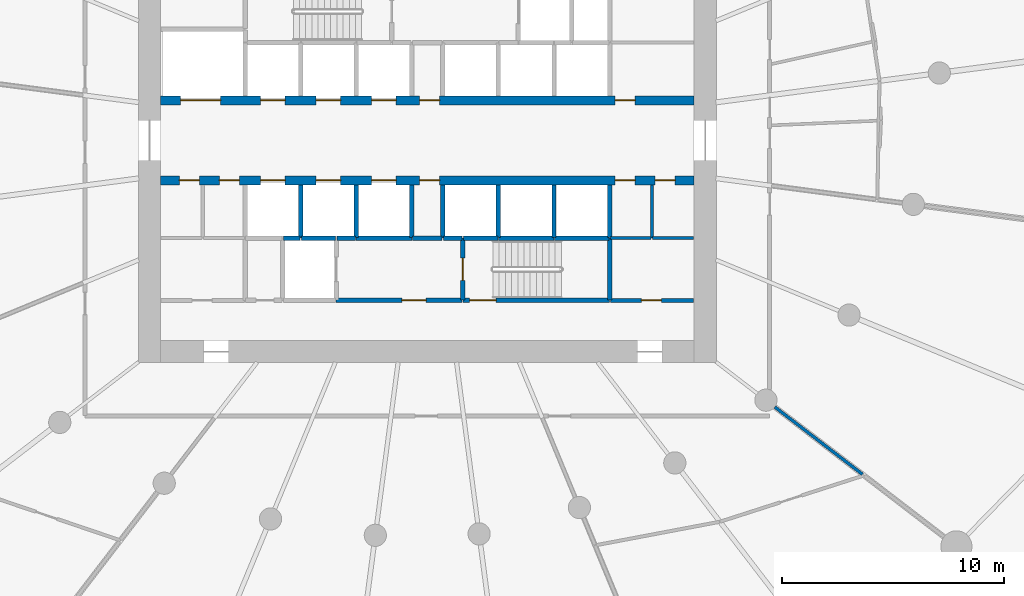
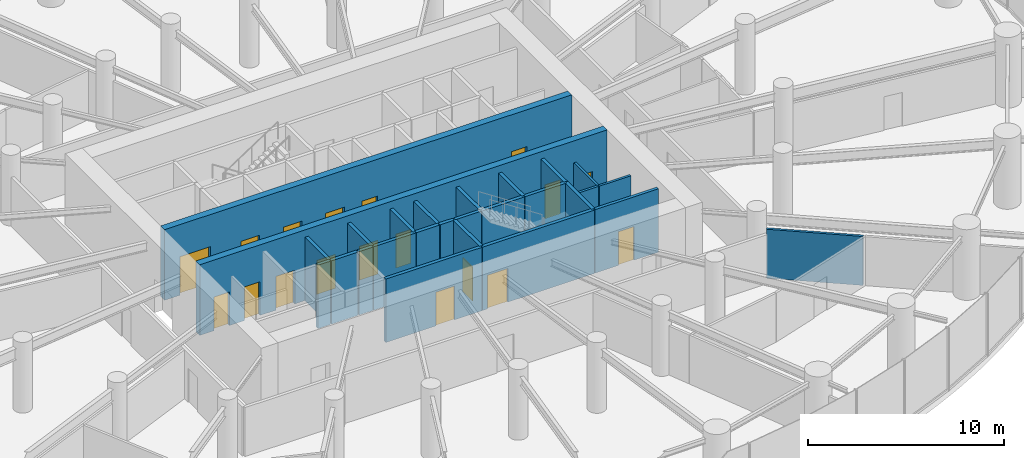
# One storey, part 13 of 19: 27 walls, 18 doors, 18 openings.
"""IFC4 building model written with IfcOpenShell, lengths in metres."""

import ifcopenshell
import ifcopenshell.guid

model = None  # the IFC model being written
_history = None  # IfcOwnerHistory: only IFC2X3 demands one
_inside = {}  # id of a spatial element -> (the spatial element, [elements in it])
_under = {}  # id of a project, library or spatial element -> (it, [spatial elements below it])
_declared = {}  # id of a project -> (the project, [libraries it declares])
_typed = {}  # id of a type object -> (the type object, [elements of that type])
_made_of = {}  # id of a material, layer set ... -> (it, [elements and type objects made of it])


def new_model(schema):
    """Start an empty IFC model of exactly this schema.

    Asked for "IFC4X3", IfcOpenShell would pick the latest addendum, in which some entities
    have other attributes; the version numbers below select the first issue.
    IFC2X3 requires an IfcOwnerHistory on every rooted entity: one is made here for all.
    """
    global model, _history
    if schema == "IFC4X3":
        model = ifcopenshell.file(schema_version=(4, 3, 0, 0))
    else:
        model = ifcopenshell.file(schema=schema)
    _inside.clear()
    _under.clear()
    _declared.clear()
    _typed.clear()
    _made_of.clear()
    _history = None
    if model.schema == "IFC2X3":
        org = make("IfcOrganization", Name="unknown")
        user = make(
            "IfcPersonAndOrganization",
            ThePerson=make("IfcPerson", FamilyName="unknown"),
            TheOrganization=org,
        )
        app = make(
            "IfcApplication",
            ApplicationDeveloper=org,
            Version="unknown",
            ApplicationFullName="unknown",
            ApplicationIdentifier="unknown",
        )
        _history = make(
            "IfcOwnerHistory",
            OwningUser=user,
            OwningApplication=app,
            ChangeAction="ADDED",
            CreationDate=0,
        )
    return model


def make(cls, **values):
    """One entity of the class cls with the attributes given. An attribute that is None is left unset."""
    return model.create_entity(
        cls, **{name: value for name, value in values.items() if value is not None}
    )


def rooted(cls, **values):
    """An entity with a GlobalId (a new one), such as an element, a storey or a relation."""
    return make(cls, GlobalId=ifcopenshell.guid.new(), OwnerHistory=_history, **values)


def si_unit(unit_type, name, prefix=None):
    """IfcSIUnit, for example si_unit("LENGTHUNIT", "METRE", prefix="MILLI")."""
    return make("IfcSIUnit", UnitType=unit_type, Prefix=prefix, Name=name)


def assignment(units):
    """IfcUnitAssignment: the units of a project."""
    return None if units is None else make("IfcUnitAssignment", Units=units)


def point(xyz):
    """IfcCartesianPoint."""
    return None if xyz is None else make("IfcCartesianPoint", Coordinates=xyz)


def direction(xyz):
    """IfcDirection."""
    return None if xyz is None else make("IfcDirection", DirectionRatios=xyz)


def frame(location, z_axis=None, x_axis=None):
    """IfcAxis2Placement3D, a coordinate frame: its origin and axes. An axis left out is left unset."""
    return make(
        "IfcAxis2Placement3D",
        Location=point(location),
        Axis=direction(z_axis),
        RefDirection=direction(x_axis),
    )


def frame_2d(location, x_axis=None):
    """IfcAxis2Placement2D, a coordinate frame in the plane: its origin and x axis."""
    return make(
        "IfcAxis2Placement2D", Location=point(location), RefDirection=direction(x_axis)
    )


def origin():
    """The frame at (0, 0, 0) with its axes left unset."""
    return frame((0.0, 0.0, 0.0))


def place(relative_to, where):
    """IfcLocalPlacement: puts the frame where relative to a parent placement (None: the world)."""
    return make(
        "IfcLocalPlacement", PlacementRelTo=relative_to, RelativePlacement=where
    )


def context(
    kind, dimensions, precision=None, world=None, true_north=None, identifier=None
):
    """IfcGeometricRepresentationContext, for example the 3D "Model" context."""
    return make(
        "IfcGeometricRepresentationContext",
        ContextIdentifier=identifier,
        ContextType=kind,
        CoordinateSpaceDimension=dimensions,
        Precision=precision,
        WorldCoordinateSystem=world,
        TrueNorth=true_north,
    )


def subcontext(parent, identifier, kind, view, scale=None):
    """IfcGeometricRepresentationSubContext, for example "Body" below "Model"."""
    return make(
        "IfcGeometricRepresentationSubContext",
        ContextIdentifier=identifier,
        ContextType=kind,
        ParentContext=parent,
        TargetScale=scale,
        TargetView=view,
    )


def project(units=None, contexts=None):
    """IfcProject with its units and contexts."""
    return rooted(
        "IfcProject",
        Name="project",
        RepresentationContexts=contexts,
        UnitsInContext=assignment(units),
    )


def spatial(cls, under=None, at=None, **own):
    """A site, building, storey or space (cls), placed at a placement, below another one or the project."""
    s = rooted(cls, ObjectPlacement=at, **own)
    if under is not None:
        _under.setdefault(under.id(), (under, []))[1].append(s)
    return s


def profile(cls, at=None, kind="AREA", **sizes):
    """A parametric profile (cls). Its sizes go by their IFC names, for example OverallWidth=200.0."""
    return make(cls, ProfileType=kind, Position=at, **sizes)


def rectangle(**sizes):
    """IfcRectangleProfileDef."""
    return profile("IfcRectangleProfileDef", **sizes)


def extrude(swept, where, along, depth):
    """IfcExtrudedAreaSolid: the profile swept, set in the frame where, extruded along a direction by depth."""
    return make(
        "IfcExtrudedAreaSolid",
        SweptArea=swept,
        Position=where,
        ExtrudedDirection=direction(along),
        Depth=depth,
    )


def shape(context_of_items, identifier, shape_type, items):
    """IfcShapeRepresentation: the items that make up one representation, for example the "Body"."""
    return make(
        "IfcShapeRepresentation",
        ContextOfItems=context_of_items,
        RepresentationIdentifier=identifier,
        RepresentationType=shape_type,
        Items=items,
    )


def source(mapping_origin, context_of_items, identifier, shape_type, items):
    """IfcRepresentationMap: a shape defined once, which mapped items show again and again."""
    return make(
        "IfcRepresentationMap",
        MappingOrigin=mapping_origin,
        MappedRepresentation=shape(context_of_items, identifier, shape_type, items),
    )


def transform(
    local_origin,
    x_axis=None,
    y_axis=None,
    z_axis=None,
    scale=None,
    scale2=None,
    scale3=None,
    uniform=True,
):
    """IfcCartesianTransformationOperator3D, or its non-uniform kind. x_axis, y_axis, z_axis: its Axis1, 2, 3."""
    if uniform:
        return make(
            "IfcCartesianTransformationOperator3D",
            Axis1=direction(x_axis),
            Axis2=direction(y_axis),
            LocalOrigin=point(local_origin),
            Scale=scale,
            Axis3=direction(z_axis),
        )
    return make(
        "IfcCartesianTransformationOperator3DnonUniform",
        Axis1=direction(x_axis),
        Axis2=direction(y_axis),
        LocalOrigin=point(local_origin),
        Scale=scale,
        Axis3=direction(z_axis),
        Scale2=scale2,
        Scale3=scale3,
    )


def mapped(mapping_source, mapping_target):
    """IfcMappedItem: shows the shape of a source again, moved by a transform."""
    return make(
        "IfcMappedItem", MappingSource=mapping_source, MappingTarget=mapping_target
    )


def material(Name=None, Category=None):
    """IfcMaterial."""
    return make("IfcMaterial", Name=Name, Category=Category)


def layer(
    of_material, thickness, ventilated=None, Name=None, Category=None, Priority=None
):
    """IfcMaterialLayer: one layer of a wall or slab, of a material (None: an air gap)."""
    return make(
        "IfcMaterialLayer",
        Material=of_material,
        LayerThickness=thickness,
        IsVentilated=ventilated,
        Name=Name,
        Category=Category,
        Priority=Priority,
    )


def layer_set(layers, Name=None):
    """IfcMaterialLayerSet."""
    return make("IfcMaterialLayerSet", MaterialLayers=layers, LayerSetName=Name)


def made_of(thing, what):
    """Note that an element or type object is made of a material, layer set ...; save() writes the relation."""
    if what is not None:
        _made_of.setdefault(what.id(), (what, []))[1].append(thing)
    return thing


def type_object(cls, material=None, **own):
    """A type object (cls), such as IfcWallType, which elements share."""
    return made_of(rooted(cls, **own), material)


def element(
    cls,
    number,
    at=None,
    inside=None,
    cuts=None,
    type_object=None,
    material=None,
    context=None,
    identifier="Body",
    shape_type=None,
    held_by="IfcProductDefinitionShape",
    body=None,
    shapes=None,
    **own,
):
    """One element of the class cls, such as IfcWall. Its Tag is "e" and its number.

    at: its placement. inside: the storey or other place that contains it. cuts: it is an
    opening in that element (IfcRelVoidsElement). A single representation is given by context,
    identifier, shape_type and body (its items); several are given by shapes. held_by: the class
    of the entity that holds the representations. save() writes the other relations.
    """
    e = rooted(cls, Tag="e%d" % number, ObjectPlacement=at, **own)
    if body is not None:
        shapes = [shape(context, identifier, shape_type, body)]
    if shapes is not None:
        e.Representation = make(held_by, Representations=shapes)
    if inside is not None:
        _inside.setdefault(inside.id(), (inside, []))[1].append(e)
    if cuts is not None:
        rooted(
            "IfcRelVoidsElement", RelatingBuildingElement=cuts, RelatedOpeningElement=e
        )
    if type_object is not None:
        _typed.setdefault(type_object.id(), (type_object, []))[1].append(e)
    return made_of(e, material)


def fill(opening, filler):
    """IfcRelFillsElement: the door or window that sits in an opening."""
    return rooted(
        "IfcRelFillsElement",
        RelatingOpeningElement=opening,
        RelatedBuildingElement=filler,
    )


def aggregate(whole, parts):
    """IfcRelAggregates: a whole, such as a stair, and the parts it consists of."""
    return rooted("IfcRelAggregates", RelatingObject=whole, RelatedObjects=parts)


def save(model, path):
    """Write the relations noted so far, then the file.

    IfcRelAggregates (storeys below a building ...), IfcRelContainedInSpatialStructure (elements
    in a storey), IfcRelDefinesByType, IfcRelAssociatesMaterial and IfcRelDeclares: one each for
    every whole, place, type object, material and project.
    """
    for whole, parts in _under.values():
        aggregate(whole, parts)
    for where, things in _inside.values():
        rooted(
            "IfcRelContainedInSpatialStructure",
            RelatedElements=things,
            RelatingStructure=where,
        )
    for kind, things in _typed.values():
        rooted("IfcRelDefinesByType", RelatedObjects=things, RelatingType=kind)
    for what, things in _made_of.values():
        rooted("IfcRelAssociatesMaterial", RelatedObjects=things, RelatingMaterial=what)
    for by, libraries in _declared.values():
        rooted("IfcRelDeclares", RelatingContext=by, RelatedDefinitions=libraries)
    model.write(path)


model = new_model("IFC4")

# Units and contexts
model_context = context("Model", 3, precision=1e-05, world=origin(), true_north=direction((0.0, 1.0)))
body_context = subcontext(model_context, "Body", "Model", "MODEL_VIEW")
ifc_project = project(units=[si_unit("LENGTHUNIT", "METRE"), si_unit("AREAUNIT", "SQUARE_METRE"), si_unit("VOLUMEUNIT", "CUBIC_METRE"), si_unit("PLANEANGLEUNIT", "RADIAN"), si_unit("MASSUNIT", "GRAM", prefix="KILO")], contexts=[model_context])

# Site, building, storey
site_placement = place(None, origin())
site = spatial("IfcSite", under=ifc_project, at=site_placement, CompositionType="ELEMENT")
building_placement = place(site_placement, origin())
building = spatial("IfcBuilding", under=site, at=building_placement, Name="Spindrift Exchange Tower", CompositionType="ELEMENT")
storey_placement = place(building_placement, frame((0.0, 0.0, 31.39990234375)))
storey = spatial("IfcBuildingStorey", under=building, at=storey_placement, Name="L07", CompositionType="ELEMENT", Elevation=31.39990234375)

# Wall, openings, doors
ifc_material_1 = material(Name="Concrete 80 MPa", Category="concrete")
ifc_layer_1 = layer(ifc_material_1, 0.39990234375)
ifc_layer_set_1 = layer_set([ifc_layer_1], Name="RC Spine Wall 400 Concrete 80 MPa")
wall_type_1 = type_object("IfcWallType", Name="RC Spine Wall 400 Concrete 80 MPa", PredefinedType="SHEAR", material=ifc_layer_set_1)
wall_1_placement = place(storey_placement, frame((40.0, 49.800048828125, 0.0), z_axis=(0.0, 0.0, 1.0), x_axis=(1.0, 0.0, 0.0)))
wall_1 = element("IfcWall", 1, at=wall_1_placement, inside=storey, type_object=wall_type_1, Name="Core spine wall N L07", PredefinedType="SHEAR", context=body_context, shape_type="SweptSolid", body=[
    extrude(rectangle(XDim=24.0, YDim=0.39990234375, at=frame_2d((12.0, 0.0))), origin(), (0.0, 0.0, 1.0), 4.400146484375),
])
opening_1_placement = place(wall_1_placement, frame((4.5, 0.0, 0.0)))
opening_1 = element("IfcOpeningElement", 2, at=opening_1_placement, cuts=wall_1, Name="Opening L07-D3", PredefinedType="OPENING", context=body_context, shape_type="SweptSolid", body=[
    extrude(rectangle(XDim=1.10009765625, YDim=2.10009765625, at=frame_2d((0.550048828125, 1.050048828125))), frame((0.0, 0.2099609375, 0.0), z_axis=(0.0, -1.0, 0.0), x_axis=(1.0, 0.0, 0.0)), (0.0, 0.0, 1.0), 0.419921875),
])
opening_2_placement = place(wall_1_placement, frame((7.0, 0.0, 0.0)))
opening_2 = element("IfcOpeningElement", 3, at=opening_2_placement, cuts=wall_1, Name="Opening L07-D4", PredefinedType="OPENING", context=body_context, shape_type="SweptSolid", body=[
    extrude(rectangle(XDim=1.10009765625, YDim=2.10009765625, at=frame_2d((0.550048828125, 1.050048828125))), frame((0.0, 0.2099609375, 0.0), z_axis=(0.0, -1.0, 0.0), x_axis=(1.0, 0.0, 0.0)), (0.0, 0.0, 1.0), 0.419921875),
])
opening_3_placement = place(wall_1_placement, frame((9.5, 0.0, 0.0)))
opening_3 = element("IfcOpeningElement", 4, at=opening_3_placement, cuts=wall_1, Name="Opening L07-D5", PredefinedType="OPENING", context=body_context, shape_type="SweptSolid", body=[
    extrude(rectangle(XDim=1.10009765625, YDim=2.10009765625, at=frame_2d((0.550048828125, 1.050048828125))), frame((0.0, 0.2099609375, 0.0), z_axis=(0.0, -1.0, 0.0), x_axis=(1.0, 0.0, 0.0)), (0.0, 0.0, 1.0), 0.419921875),
])
opening_4_placement = place(wall_1_placement, frame((0.89990234375, 0.0, 0.0)))
opening_4 = element("IfcOpeningElement", 5, at=opening_4_placement, cuts=wall_1, Name="Opening L07-D12", PredefinedType="OPENING", context=body_context, shape_type="SweptSolid", body=[
    extrude(rectangle(XDim=1.800048828125, YDim=2.39990234375, at=frame_2d((0.89990234375, 1.199951171875))), frame((0.0, 0.2099609375, 0.0), z_axis=(0.0, -1.0, 0.0), x_axis=(1.0, 0.0, 0.0)), (0.0, 0.0, 1.0), 0.419921875),
])
opening_5_placement = place(wall_1_placement, frame((20.449951171875, 0.0, 0.0)))
opening_5 = element("IfcOpeningElement", 6, at=opening_5_placement, cuts=wall_1, Name="Opening L07-D47", PredefinedType="OPENING", context=body_context, shape_type="SweptSolid", body=[
    extrude(rectangle(XDim=0.89990234375, YDim=2.10009765625, at=frame_2d((0.449951171875, 1.050048828125))), frame((0.0, 0.2099609375, 0.0), z_axis=(0.0, -1.0, 0.0), x_axis=(1.0, 0.0, 0.0)), (0.0, 0.0, 1.0), 0.419921875),
])
opening_6_placement = place(wall_1_placement, frame((11.64990234375, 0.0, 0.0)))
opening_6 = element("IfcOpeningElement", 7, at=opening_6_placement, cuts=wall_1, Name="Opening L07-D52", PredefinedType="OPENING", context=body_context, shape_type="SweptSolid", body=[
    extrude(rectangle(XDim=0.89990234375, YDim=2.10009765625, at=frame_2d((0.449951171875, 1.050048828125))), frame((0.0, 0.2099609375, 0.0), z_axis=(0.0, -1.0, 0.0), x_axis=(1.0, 0.0, 0.0)), (0.0, 0.0, 1.0), 0.419921875),
])
ifc_material_2 = material(Name="Stainless steel landing door", Category="steel")
door_type_1 = type_object("IfcDoorType", Name="DR-LANDING-1100-SL", OperationType="DOUBLE_DOOR_SLIDING", PredefinedType="USERDEFINED", material=ifc_material_2)
shared_shape_1 = source(origin(), body_context, "Body", "SweptSolid", [
    extrude(rectangle(XDim=1.10009765625, YDim=2.10009765625, at=frame_2d((0.550048828125, 1.050048828125))), frame((0.0, 0.02490234375, 0.0), z_axis=(0.0, -1.0, 0.0), x_axis=(1.0, 0.0, 0.0)), (0.0, 0.0, 1.0), 0.050048828125),
])
door_1_placement = place(opening_1_placement, origin())
door_1 = element("IfcDoor", 8, at=door_1_placement, inside=storey, type_object=door_type_1, Name="L07 Lift landing door 3", ObjectType="LANDING DOOR", OperationType="DOUBLE_DOOR_SLIDING", OverallHeight=2.10009765625, OverallWidth=1.10009765625, PredefinedType="USERDEFINED", context=body_context, shape_type="MappedRepresentation", body=[
    mapped(shared_shape_1, transform((0.0, 0.0, 0.0), scale=1.0)),
])
fill(opening_1, door_1)
door_2_placement = place(opening_2_placement, origin())
door_2 = element("IfcDoor", 9, at=door_2_placement, inside=storey, type_object=door_type_1, Name="L07 Lift landing door 4", ObjectType="LANDING DOOR", OperationType="DOUBLE_DOOR_SLIDING", OverallHeight=2.10009765625, OverallWidth=1.10009765625, PredefinedType="USERDEFINED", context=body_context, shape_type="MappedRepresentation", body=[
    mapped(shared_shape_1, transform((0.0, 0.0, 0.0), scale=1.0)),
])
fill(opening_2, door_2)
door_3_placement = place(opening_3_placement, origin())
door_3 = element("IfcDoor", 10, at=door_3_placement, inside=storey, type_object=door_type_1, Name="L07 Lift landing door 5", ObjectType="LANDING DOOR", OperationType="DOUBLE_DOOR_SLIDING", OverallHeight=2.10009765625, OverallWidth=1.10009765625, PredefinedType="USERDEFINED", context=body_context, shape_type="MappedRepresentation", body=[
    mapped(shared_shape_1, transform((0.0, 0.0, 0.0), scale=1.0)),
])
fill(opening_3, door_3)
door_type_2 = type_object("IfcDoorType", Name="DR-LANDING-1800-SL", OperationType="DOUBLE_DOOR_SLIDING", PredefinedType="USERDEFINED", material=ifc_material_2)
shared_shape_2 = source(origin(), body_context, "Body", "SweptSolid", [
    extrude(rectangle(XDim=1.800048828125, YDim=2.39990234375, at=frame_2d((0.89990234375, 1.199951171875))), frame((0.0, 0.02490234375, 0.0), z_axis=(0.0, -1.0, 0.0), x_axis=(1.0, 0.0, 0.0)), (0.0, 0.0, 1.0), 0.050048828125),
])
door_4_placement = place(opening_4_placement, origin())
door_4 = element("IfcDoor", 11, at=door_4_placement, inside=storey, type_object=door_type_2, Name="L07 Lift landing door 12", ObjectType="LANDING DOOR", OperationType="DOUBLE_DOOR_SLIDING", OverallHeight=2.39990234375, OverallWidth=1.800048828125, PredefinedType="USERDEFINED", context=body_context, shape_type="MappedRepresentation", body=[
    mapped(shared_shape_2, transform((0.0, 0.0, 0.0), scale=1.0)),
])
fill(opening_4, door_4)
ifc_material_3 = material(Name="Steel access door", Category="steel")
door_type_3 = type_object("IfcDoorType", Name="DR-RISER-900", OperationType="NOTDEFINED", PredefinedType="DOOR", material=ifc_material_3)
shared_shape_3 = source(origin(), body_context, "Body", "SweptSolid", [
    extrude(rectangle(XDim=0.89990234375, YDim=2.10009765625, at=frame_2d((0.449951171875, 1.050048828125))), frame((0.0, 0.02490234375, 0.0), z_axis=(0.0, -1.0, 0.0), x_axis=(1.0, 0.0, 0.0)), (0.0, 0.0, 1.0), 0.050048828125),
])
door_5_placement = place(opening_5_placement, origin())
door_5 = element("IfcDoor", 12, at=door_5_placement, inside=storey, type_object=door_type_3, Name="L07 Riser door 47", OperationType="SINGLE_SWING_LEFT", OverallHeight=2.10009765625, OverallWidth=0.89990234375, PredefinedType="DOOR", context=body_context, shape_type="MappedRepresentation", body=[
    mapped(shared_shape_3, transform((0.0, 0.0, 0.0), scale=1.0)),
])
fill(opening_5, door_5)
door_6_placement = place(opening_6_placement, origin())
door_6 = element("IfcDoor", 13, at=door_6_placement, inside=storey, type_object=door_type_3, Name="L07 Riser door 52", OperationType="SINGLE_SWING_RIGHT", OverallHeight=2.10009765625, OverallWidth=0.89990234375, PredefinedType="DOOR", context=body_context, shape_type="MappedRepresentation", body=[
    mapped(shared_shape_3, transform((0.0, 0.0, 0.0), scale=1.0)),
])
fill(opening_6, door_6)

wall_2_placement = place(storey_placement, frame((40.0, 46.199951171875, 0.0), z_axis=(0.0, 0.0, 1.0), x_axis=(1.0, 0.0, 0.0)))
wall_2 = element("IfcWall", 14, at=wall_2_placement, inside=storey, type_object=wall_type_1, Name="Core spine wall S L07", PredefinedType="SHEAR", context=body_context, shape_type="SweptSolid", body=[
    extrude(rectangle(XDim=24.0, YDim=0.39990234375, at=frame_2d((12.0, 0.0))), origin(), (0.0, 0.0, 1.0), 4.400146484375),
])
opening_7_placement = place(wall_2_placement, frame((4.5, 0.0, 0.0)))
opening_7 = element("IfcOpeningElement", 15, at=opening_7_placement, cuts=wall_2, Name="Opening L07-D6", PredefinedType="OPENING", context=body_context, shape_type="SweptSolid", body=[
    extrude(rectangle(XDim=1.10009765625, YDim=2.10009765625, at=frame_2d((0.550048828125, 1.050048828125))), frame((0.0, 0.2099609375, 0.0), z_axis=(0.0, -1.0, 0.0), x_axis=(1.0, 0.0, 0.0)), (0.0, 0.0, 1.0), 0.419921875),
])
opening_8_placement = place(wall_2_placement, frame((7.0, 0.0, 0.0)))
opening_8 = element("IfcOpeningElement", 16, at=opening_8_placement, cuts=wall_2, Name="Opening L07-D7", PredefinedType="OPENING", context=body_context, shape_type="SweptSolid", body=[
    extrude(rectangle(XDim=1.10009765625, YDim=2.10009765625, at=frame_2d((0.550048828125, 1.050048828125))), frame((0.0, 0.2099609375, 0.0), z_axis=(0.0, -1.0, 0.0), x_axis=(1.0, 0.0, 0.0)), (0.0, 0.0, 1.0), 0.419921875),
])
opening_9_placement = place(wall_2_placement, frame((9.5, 0.0, 0.0)))
opening_9 = element("IfcOpeningElement", 17, at=opening_9_placement, cuts=wall_2, Name="Opening L07-D8", PredefinedType="OPENING", context=body_context, shape_type="SweptSolid", body=[
    extrude(rectangle(XDim=1.10009765625, YDim=2.10009765625, at=frame_2d((0.550048828125, 1.050048828125))), frame((0.0, 0.2099609375, 0.0), z_axis=(0.0, -1.0, 0.0), x_axis=(1.0, 0.0, 0.0)), (0.0, 0.0, 1.0), 0.419921875),
])
opening_10_placement = place(wall_2_placement, frame((20.449951171875, 0.0, 0.0)))
opening_10 = element("IfcOpeningElement", 18, at=opening_10_placement, cuts=wall_2, Name="Opening L07-D45", PredefinedType="OPENING", context=body_context, shape_type="SweptSolid", body=[
    extrude(rectangle(XDim=0.89990234375, YDim=2.10009765625, at=frame_2d((0.449951171875, 1.050048828125))), frame((0.0, 0.2099609375, 0.0), z_axis=(0.0, -1.0, 0.0), x_axis=(1.0, 0.0, 0.0)), (0.0, 0.0, 1.0), 0.419921875),
])
opening_11_placement = place(wall_2_placement, frame((22.25, 0.0, 0.0)))
opening_11 = element("IfcOpeningElement", 19, at=opening_11_placement, cuts=wall_2, Name="Opening L07-D46", PredefinedType="OPENING", context=body_context, shape_type="SweptSolid", body=[
    extrude(rectangle(XDim=0.89990234375, YDim=2.10009765625, at=frame_2d((0.449951171875, 1.050048828125))), frame((0.0, 0.2099609375, 0.0), z_axis=(0.0, -1.0, 0.0), x_axis=(1.0, 0.0, 0.0)), (0.0, 0.0, 1.0), 0.419921875),
])
opening_12_placement = place(wall_2_placement, frame((0.85009765625, 0.0, 0.0)))
opening_12 = element("IfcOpeningElement", 20, at=opening_12_placement, cuts=wall_2, Name="Opening L07-D50", PredefinedType="OPENING", context=body_context, shape_type="SweptSolid", body=[
    extrude(rectangle(XDim=0.89990234375, YDim=2.10009765625, at=frame_2d((0.449951171875, 1.050048828125))), frame((0.0, 0.2099609375, 0.0), z_axis=(0.0, -1.0, 0.0), x_axis=(1.0, 0.0, 0.0)), (0.0, 0.0, 1.0), 0.419921875),
])
opening_13_placement = place(wall_2_placement, frame((2.64990234375, 0.0, 0.0)))
opening_13 = element("IfcOpeningElement", 21, at=opening_13_placement, cuts=wall_2, Name="Opening L07-D51", PredefinedType="OPENING", context=body_context, shape_type="SweptSolid", body=[
    extrude(rectangle(XDim=0.89990234375, YDim=2.10009765625, at=frame_2d((0.449951171875, 1.050048828125))), frame((0.0, 0.2099609375, 0.0), z_axis=(0.0, -1.0, 0.0), x_axis=(1.0, 0.0, 0.0)), (0.0, 0.0, 1.0), 0.419921875),
])
opening_14_placement = place(wall_2_placement, frame((11.64990234375, 0.0, 0.0)))
opening_14 = element("IfcOpeningElement", 22, at=opening_14_placement, cuts=wall_2, Name="Opening L07-D53", PredefinedType="OPENING", context=body_context, shape_type="SweptSolid", body=[
    extrude(rectangle(XDim=0.89990234375, YDim=2.10009765625, at=frame_2d((0.449951171875, 1.050048828125))), frame((0.0, 0.2099609375, 0.0), z_axis=(0.0, -1.0, 0.0), x_axis=(1.0, 0.0, 0.0)), (0.0, 0.0, 1.0), 0.419921875),
])
door_7_placement = place(opening_7_placement, origin())
door_7 = element("IfcDoor", 23, at=door_7_placement, inside=storey, type_object=door_type_1, Name="L07 Lift landing door 6", ObjectType="LANDING DOOR", OperationType="DOUBLE_DOOR_SLIDING", OverallHeight=2.10009765625, OverallWidth=1.10009765625, PredefinedType="USERDEFINED", context=body_context, shape_type="MappedRepresentation", body=[
    mapped(shared_shape_1, transform((0.0, 0.0, 0.0), scale=1.0)),
])
fill(opening_7, door_7)
door_8_placement = place(opening_8_placement, origin())
door_8 = element("IfcDoor", 24, at=door_8_placement, inside=storey, type_object=door_type_1, Name="L07 Lift landing door 7", ObjectType="LANDING DOOR", OperationType="DOUBLE_DOOR_SLIDING", OverallHeight=2.10009765625, OverallWidth=1.10009765625, PredefinedType="USERDEFINED", context=body_context, shape_type="MappedRepresentation", body=[
    mapped(shared_shape_1, transform((0.0, 0.0, 0.0), scale=1.0)),
])
fill(opening_8, door_8)
door_9_placement = place(opening_9_placement, origin())
door_9 = element("IfcDoor", 25, at=door_9_placement, inside=storey, type_object=door_type_1, Name="L07 Lift landing door 8", ObjectType="LANDING DOOR", OperationType="DOUBLE_DOOR_SLIDING", OverallHeight=2.10009765625, OverallWidth=1.10009765625, PredefinedType="USERDEFINED", context=body_context, shape_type="MappedRepresentation", body=[
    mapped(shared_shape_1, transform((0.0, 0.0, 0.0), scale=1.0)),
])
fill(opening_9, door_9)
door_10_placement = place(opening_10_placement, origin())
door_10 = element("IfcDoor", 26, at=door_10_placement, inside=storey, type_object=door_type_3, Name="L07 Riser door 45", OperationType="SINGLE_SWING_LEFT", OverallHeight=2.10009765625, OverallWidth=0.89990234375, PredefinedType="DOOR", context=body_context, shape_type="MappedRepresentation", body=[
    mapped(shared_shape_3, transform((0.0, 0.0, 0.0), scale=1.0)),
])
fill(opening_10, door_10)
door_11_placement = place(opening_11_placement, origin())
door_11 = element("IfcDoor", 27, at=door_11_placement, inside=storey, type_object=door_type_3, Name="L07 Riser door 46", OperationType="SINGLE_SWING_RIGHT", OverallHeight=2.10009765625, OverallWidth=0.89990234375, PredefinedType="DOOR", context=body_context, shape_type="MappedRepresentation", body=[
    mapped(shared_shape_3, transform((0.0, 0.0, 0.0), scale=1.0)),
])
fill(opening_11, door_11)
door_12_placement = place(opening_12_placement, origin())
door_12 = element("IfcDoor", 28, at=door_12_placement, inside=storey, type_object=door_type_3, Name="L07 Riser door 50", OperationType="SINGLE_SWING_RIGHT", OverallHeight=2.10009765625, OverallWidth=0.89990234375, PredefinedType="DOOR", context=body_context, shape_type="MappedRepresentation", body=[
    mapped(shared_shape_3, transform((0.0, 0.0, 0.0), scale=1.0)),
])
fill(opening_12, door_12)
door_13_placement = place(opening_13_placement, origin())
door_13 = element("IfcDoor", 29, at=door_13_placement, inside=storey, type_object=door_type_3, Name="L07 Riser door 51", OperationType="SINGLE_SWING_LEFT", OverallHeight=2.10009765625, OverallWidth=0.89990234375, PredefinedType="DOOR", context=body_context, shape_type="MappedRepresentation", body=[
    mapped(shared_shape_3, transform((0.0, 0.0, 0.0), scale=1.0)),
])
fill(opening_13, door_13)
door_14_placement = place(opening_14_placement, origin())
door_14 = element("IfcDoor", 30, at=door_14_placement, inside=storey, type_object=door_type_3, Name="L07 Riser door 53", OperationType="SINGLE_SWING_LEFT", OverallHeight=2.10009765625, OverallWidth=0.89990234375, PredefinedType="DOOR", context=body_context, shape_type="MappedRepresentation", body=[
    mapped(shared_shape_3, transform((0.0, 0.0, 0.0), scale=1.0)),
])
fill(opening_14, door_14)

# Wall, opening, door
ifc_material_4 = material(Name="Fire-rated plasterboard partition", Category="gypsum")
ifc_layer_2 = layer(ifc_material_4, 0.179931640625)
ifc_layer_set_2 = layer_set([ifc_layer_2], Name="W-CORR-180")
wall_type_2 = type_object("IfcWallType", Name="W-CORR-180", PredefinedType="PARTITIONING", material=ifc_layer_set_2)
wall_3_placement = place(storey_placement, frame((60.22998046875, 40.800048828125, 0.0), z_axis=(0.0, 0.0, 1.0), x_axis=(1.0, 0.0, 0.0)))
wall_3 = element("IfcWall", 31, at=wall_3_placement, inside=storey, type_object=wall_type_2, Name="L07 Partition wall 63", PredefinedType="PARTITIONING", context=body_context, shape_type="SweptSolid", body=[
    extrude(rectangle(XDim=3.75, YDim=0.179931640625, at=frame_2d((1.875, 0.0))), origin(), (0.0, 0.0, 1.0), 3.9501953125),
])
opening_15_placement = place(wall_3_placement, frame((1.39990234375, 0.0, 0.0)))
opening_15 = element("IfcOpeningElement", 32, at=opening_15_placement, cuts=wall_3, Name="Opening L07-D49", PredefinedType="OPENING", context=body_context, shape_type="SweptSolid", body=[
    extrude(rectangle(XDim=0.89990234375, YDim=2.10009765625, at=frame_2d((0.449951171875, 1.050048828125))), frame((0.0, 0.099853515625, 0.0), z_axis=(0.0, -1.0, 0.0), x_axis=(1.0, 0.0, 0.0)), (0.0, 0.0, 1.0), 0.199951171875),
])
door_15_placement = place(opening_15_placement, origin())
door_15 = element("IfcDoor", 33, at=door_15_placement, inside=storey, type_object=door_type_3, Name="L07 Riser door 49", OperationType="SINGLE_SWING_LEFT", OverallHeight=2.10009765625, OverallWidth=0.89990234375, PredefinedType="DOOR", context=body_context, shape_type="MappedRepresentation", body=[
    mapped(shared_shape_3, transform((0.0, 0.0, 0.0), scale=1.0)),
])
fill(opening_15, door_15)

# Walls
ifc_layer_3 = layer(ifc_material_4, 0.139892578125)
ifc_layer_set_3 = layer_set([ifc_layer_3], Name="W-PART-140")
wall_type_3 = type_object("IfcWallType", Name="W-PART-140", PredefinedType="PARTITIONING", material=ifc_layer_set_3)
wall_4_placement = place(storey_placement, frame((62.10009765625, 43.60009765625, 0.0), z_axis=(0.0, 0.0, 1.0), x_axis=(0.0, 1.0, 0.0)))
element("IfcWall", 34, at=wall_4_placement, inside=storey, type_object=wall_type_3, Name="L07 Partition wall 107", PredefinedType="PARTITIONING", context=body_context, shape_type="SweptSolid", body=[
    extrude(rectangle(XDim=2.389892578125, YDim=0.139892578125, at=frame_2d((1.19482421875, 0.0))), origin(), (0.0, 0.0, 1.0), 3.050048828125),
])
wall_5_placement = place(storey_placement, frame((60.22998046875, 43.60009765625, 0.0), z_axis=(0.0, 0.0, 1.0), x_axis=(1.0, 0.0, 0.0)))
element("IfcWall", 35, at=wall_5_placement, inside=storey, type_object=wall_type_3, Name="L07 Partition wall 110", PredefinedType="PARTITIONING", context=body_context, shape_type="SweptSolid", body=[
    extrude(rectangle(XDim=1.840087890625, YDim=0.139892578125, at=frame_2d((0.919921875, 0.0))), origin(), (0.0, 0.0, 1.0), 3.050048828125),
])
wall_6_placement = place(storey_placement, frame((62.1298828125, 43.60009765625, 0.0), z_axis=(0.0, 0.0, 1.0), x_axis=(1.0, 0.0, 0.0)))
element("IfcWall", 36, at=wall_6_placement, inside=storey, type_object=wall_type_3, Name="L07 Partition wall 112", PredefinedType="PARTITIONING", context=body_context, shape_type="SweptSolid", body=[
    extrude(rectangle(XDim=1.85009765625, YDim=0.139892578125, at=frame_2d((0.925048828125, 0.0))), origin(), (0.0, 0.0, 1.0), 3.050048828125),
])
ifc_layer_4 = layer(ifc_material_4, 0.139892578125)
ifc_layer_set_4 = layer_set([ifc_layer_4], Name="W-PLANT-140")
wall_type_4 = type_object("IfcWallType", Name="W-PLANT-140", PredefinedType="PARTITIONING", material=ifc_layer_set_4)
wall_7_placement = place(storey_placement, frame((67.632568359375, 36.004638671875, 0.0), z_axis=(0.0, 0.0, 1.0), x_axis=(0.793344630943, -0.608772779084, 0.0)))
element("IfcWall", 37, at=wall_7_placement, inside=storey, type_object=wall_type_4, Name="L07 Partition wall 90", PredefinedType="PARTITIONING", context=body_context, shape_type="SweptSolid", body=[
    extrude(rectangle(XDim=4.970947265625, YDim=0.139892578125, at=frame_2d((2.4853515625, 0.0))), origin(), (0.0, 0.0, 1.0), 3.050048828125),
])
ifc_material_5 = material(Name="Concrete 40 MPa", Category="concrete")
ifc_layer_5 = layer(ifc_material_5, 0.199951171875)
ifc_layer_set_5 = layer_set([ifc_layer_5], Name="W-SHAFT-200")
wall_type_5 = type_object("IfcWallType", Name="W-SHAFT-200", PredefinedType="SOLIDWALL", material=ifc_layer_set_5)
wall_8_placement = place(storey_placement, frame((48.800048828125, 43.60009765625, 0.0), z_axis=(0.0, 0.0, 1.0), x_axis=(1.0, 0.0, 0.0)))
element("IfcWall", 38, at=wall_8_placement, inside=storey, type_object=wall_type_5, Name="L07 Shaft wall 17", PredefinedType="SOLIDWALL", context=body_context, shape_type="SweptSolid", body=[
    extrude(rectangle(XDim=2.5, YDim=0.199951171875, at=frame_2d((1.25, 0.0))), origin(), (0.0, 0.0, 1.0), 3.9501953125),
])
wall_9_placement = place(storey_placement, frame((46.300048828125, 43.60009765625, 0.0), z_axis=(0.0, 0.0, 1.0), x_axis=(0.0, 1.0, 0.0)))
element("IfcWall", 39, at=wall_9_placement, inside=storey, type_object=wall_type_5, Name="L07 Shaft wall 25", PredefinedType="SOLIDWALL", context=body_context, shape_type="SweptSolid", body=[
    extrude(rectangle(XDim=2.389892578125, YDim=0.199951171875, at=frame_2d((1.19482421875, 0.0))), origin(), (0.0, 0.0, 1.0), 3.9501953125),
])
for number, where, z_axis, x_axis, name in (
    (40, (48.800048828125, 43.6298828125, 0.0), (0.0, 0.0, 1.0), (0.0, 1.0, 0.0), "L07 Shaft wall 27"),
    (41, (51.300048828125, 43.6298828125, 0.0), (0.0, 0.0, 1.0), (0.0, 1.0, 0.0), "L07 Shaft wall 29"),
):
    element("IfcWall", number, at=place(storey_placement, frame(where, z_axis=z_axis, x_axis=x_axis)), inside=storey, type_object=wall_type_5, Name=name, PredefinedType="SOLIDWALL", context=body_context, shape_type="SweptSolid", body=[
        extrude(rectangle(XDim=2.360107421875, YDim=0.199951171875, at=frame_2d((1.18017578125, 0.0))), origin(), (0.0, 0.0, 1.0), 3.9501953125),
    ])
wall_10_placement = place(storey_placement, frame((52.699951171875, 45.989990234375, 0.0), z_axis=(0.0, 0.0, 1.0), x_axis=(0.0, -1.0, 0.0)))
element("IfcWall", 42, at=wall_10_placement, inside=storey, type_object=wall_type_5, Name="L07 Shaft wall 31", PredefinedType="SOLIDWALL", context=body_context, shape_type="SweptSolid", body=[
    extrude(rectangle(XDim=2.389892578125, YDim=0.199951171875, at=frame_2d((1.19482421875, 0.0))), origin(), (0.0, 0.0, 1.0), 3.9501953125),
])
wall_11_placement = place(storey_placement, frame((46.330078125, 43.60009765625, 0.0), z_axis=(0.0, 0.0, 1.0), x_axis=(1.0, 0.0, 0.0)))
element("IfcWall", 43, at=wall_11_placement, inside=storey, type_object=wall_type_5, Name="L07 Shaft wall 44", PredefinedType="SOLIDWALL", context=body_context, shape_type="SweptSolid", body=[
    extrude(rectangle(XDim=1.5400390625, YDim=0.199951171875, at=frame_2d((0.77001953125, 0.0))), origin(), (0.0, 0.0, 1.0), 3.9501953125),
])
wall_12_placement = place(storey_placement, frame((52.669921875, 43.60009765625, 0.0), z_axis=(0.0, 0.0, 1.0), x_axis=(-1.0, 0.0, 0.0)))
element("IfcWall", 44, at=wall_12_placement, inside=storey, type_object=wall_type_5, Name="L07 Shaft wall 48", PredefinedType="SOLIDWALL", context=body_context, shape_type="SweptSolid", body=[
    extrude(rectangle(XDim=1.33984375, YDim=0.199951171875, at=frame_2d((0.669921875, 0.0))), origin(), (0.0, 0.0, 1.0), 3.9501953125),
])
wall_13_placement = place(storey_placement, frame((47.929931640625, 43.60009765625, 0.0), z_axis=(0.0, 0.0, 1.0), x_axis=(1.0, 0.0, 0.0)))
element("IfcWall", 45, at=wall_13_placement, inside=storey, type_object=wall_type_5, Name="L07 Shaft wall 50", PredefinedType="SOLIDWALL", context=body_context, shape_type="SweptSolid", body=[
    extrude(rectangle(XDim=0.840087890625, YDim=0.199951171875, at=frame_2d((0.419921875, 0.0))), origin(), (0.0, 0.0, 1.0), 3.9501953125),
])
wall_14_placement = place(storey_placement, frame((45.530029296875, 43.60009765625, 0.0), z_axis=(0.0, 0.0, 1.0), x_axis=(1.0, 0.0, 0.0)))
element("IfcWall", 46, at=wall_14_placement, inside=storey, type_object=wall_type_5, Name="L07 Shaft wall 54", PredefinedType="SOLIDWALL", context=body_context, shape_type="SweptSolid", body=[
    extrude(rectangle(XDim=0.739990234375, YDim=0.199951171875, at=frame_2d((0.3701171875, 0.0))), origin(), (0.0, 0.0, 1.0), 3.9501953125),
])

# Wall, opening, door
ifc_layer_6 = layer(ifc_material_5, 0.199951171875)
ifc_layer_set_6 = layer_set([ifc_layer_6], Name="W-SHAFT-200-LB")
wall_type_6 = type_object("IfcWallType", Name="W-SHAFT-200-LB", PredefinedType="SOLIDWALL", material=ifc_layer_set_6)
wall_15_placement = place(storey_placement, frame((53.60009765625, 40.800048828125, 0.0), z_axis=(0.0, 0.0, 1.0), x_axis=(1.0, 0.0, 0.0)))
wall_15 = element("IfcWall", 47, at=wall_15_placement, inside=storey, type_object=wall_type_6, Name="L07 Shaft wall 2", PredefinedType="SOLIDWALL", context=body_context, shape_type="SweptSolid", body=[
    extrude(rectangle(XDim=6.599853515625, YDim=0.199951171875, at=frame_2d((3.2998046875, 0.0))), origin(), (0.0, 0.0, 1.0), 3.9501953125),
])
opening_16_placement = place(wall_15_placement, frame((0.300048828125, 0.0, 0.0)))
opening_16 = element("IfcOpeningElement", 48, at=opening_16_placement, cuts=wall_15, Name="Opening L07-D16", PredefinedType="OPENING", context=body_context, shape_type="SweptSolid", body=[
    extrude(rectangle(XDim=1.199951171875, YDim=2.10009765625, at=frame_2d((0.60009765625, 1.050048828125))), frame((0.0, 0.10986328125, 0.0), z_axis=(0.0, -1.0, 0.0), x_axis=(1.0, 0.0, 0.0)), (0.0, 0.0, 1.0), 0.219970703125),
])
ifc_material_6 = material(Name="Steel fire door", Category="steel")
door_type_4 = type_object("IfcDoorType", Name="DR-STAIR-1200", OperationType="NOTDEFINED", PredefinedType="DOOR", material=ifc_material_6)
shared_shape_4 = source(origin(), body_context, "Body", "SweptSolid", [
    extrude(rectangle(XDim=1.199951171875, YDim=2.10009765625, at=frame_2d((0.60009765625, 1.050048828125))), frame((0.0, 0.02490234375, 0.0), z_axis=(0.0, -1.0, 0.0), x_axis=(1.0, 0.0, 0.0)), (0.0, 0.0, 1.0), 0.050048828125),
])
door_16_placement = place(opening_16_placement, origin())
door_16 = element("IfcDoor", 49, at=door_16_placement, inside=storey, type_object=door_type_4, Name="L07 Stair door 16", OperationType="SINGLE_SWING_RIGHT", OverallHeight=2.10009765625, OverallWidth=1.199951171875, PredefinedType="DOOR", context=body_context, shape_type="MappedRepresentation", body=[
    mapped(shared_shape_4, transform((0.0, 0.0, 0.0), scale=1.0)),
])
fill(opening_16, door_16)

wall_16_placement = place(storey_placement, frame((47.89990234375, 40.800048828125, 0.0), z_axis=(0.0, 0.0, 1.0), x_axis=(1.0, 0.0, 0.0)))
wall_16 = element("IfcWall", 50, at=wall_16_placement, inside=storey, type_object=wall_type_6, Name="L07 Shaft wall 3", PredefinedType="SOLIDWALL", context=body_context, shape_type="SweptSolid", body=[
    extrude(rectangle(XDim=5.670166015625, YDim=0.199951171875, at=frame_2d((2.8349609375, 0.0))), origin(), (0.0, 0.0, 1.0), 3.9501953125),
])
opening_17_placement = place(wall_16_placement, frame((2.949951171875, 0.0, 0.0)))
opening_17 = element("IfcOpeningElement", 51, at=opening_17_placement, cuts=wall_16, Name="Opening L07-D18", PredefinedType="OPENING", context=body_context, shape_type="SweptSolid", body=[
    extrude(rectangle(XDim=1.10009765625, YDim=2.10009765625, at=frame_2d((0.550048828125, 1.050048828125))), frame((0.0, 0.10986328125, 0.0), z_axis=(0.0, -1.0, 0.0), x_axis=(1.0, 0.0, 0.0)), (0.0, 0.0, 1.0), 0.219970703125),
])
ifc_material_7 = material(Name="Timber-core fire door", Category="wood")
door_type_5 = type_object("IfcDoorType", Name="DR-LOBBY-1100", OperationType="NOTDEFINED", PredefinedType="DOOR", material=ifc_material_7)
shared_shape_5 = source(origin(), body_context, "Body", "SweptSolid", [
    extrude(rectangle(XDim=1.10009765625, YDim=2.10009765625, at=frame_2d((0.550048828125, 1.050048828125))), frame((0.0, 0.02490234375, 0.0), z_axis=(0.0, -1.0, 0.0), x_axis=(1.0, 0.0, 0.0)), (0.0, 0.0, 1.0), 0.050048828125),
])
door_17_placement = place(opening_17_placement, origin())
door_17 = element("IfcDoor", 52, at=door_17_placement, inside=storey, type_object=door_type_5, Name="L07 Lobby door 18", OperationType="SINGLE_SWING_RIGHT", OverallHeight=2.10009765625, OverallWidth=1.10009765625, PredefinedType="DOOR", context=body_context, shape_type="MappedRepresentation", body=[
    mapped(shared_shape_5, transform((0.0, 0.0, 0.0), scale=1.0)),
])
fill(opening_17, door_17)

# Wall
wall_17_placement = place(storey_placement, frame((60.199951171875, 40.830078125, 0.0), z_axis=(0.0, 0.0, 1.0), x_axis=(0.0, 1.0, 0.0)))
element("IfcWall", 53, at=wall_17_placement, inside=storey, type_object=wall_type_6, Name="L07 Shaft wall 10", PredefinedType="SOLIDWALL", context=body_context, shape_type="SweptSolid", body=[
    extrude(rectangle(XDim=2.77001953125, YDim=0.199951171875, at=frame_2d((1.385009765625, 0.0))), origin(), (0.0, 0.0, 1.0), 3.9501953125),
])

# Wall, opening, door
wall_18_placement = place(storey_placement, frame((53.60009765625, 43.60009765625, 0.0), z_axis=(0.0, 0.0, 1.0), x_axis=(0.0, -1.0, 0.0)))
wall_18 = element("IfcWall", 54, at=wall_18_placement, inside=storey, type_object=wall_type_6, Name="L07 Shaft wall 11", PredefinedType="SOLIDWALL", context=body_context, shape_type="SweptSolid", body=[
    extrude(rectangle(XDim=2.77001953125, YDim=0.199951171875, at=frame_2d((1.385009765625, 0.0))), origin(), (0.0, 0.0, 1.0), 3.9501953125),
])
opening_18_placement = place(wall_18_placement, frame((0.89990234375, 0.0, 0.0)))
opening_18 = element("IfcOpeningElement", 55, at=opening_18_placement, cuts=wall_18, Name="Opening L07-D17", PredefinedType="OPENING", context=body_context, shape_type="SweptSolid", body=[
    extrude(rectangle(XDim=1.0, YDim=2.10009765625, at=frame_2d((0.5, 1.050048828125))), frame((0.0, 0.10986328125, 0.0), z_axis=(0.0, -1.0, 0.0), x_axis=(1.0, 0.0, 0.0)), (0.0, 0.0, 1.0), 0.219970703125),
])
door_type_6 = type_object("IfcDoorType", Name="DR-STAIR-1000", OperationType="NOTDEFINED", PredefinedType="DOOR", material=ifc_material_6)
shared_shape_6 = source(origin(), body_context, "Body", "SweptSolid", [
    extrude(rectangle(XDim=1.0, YDim=2.10009765625, at=frame_2d((0.5, 1.050048828125))), frame((0.0, 0.02490234375, 0.0), z_axis=(0.0, -1.0, 0.0), x_axis=(1.0, 0.0, 0.0)), (0.0, 0.0, 1.0), 0.050048828125),
])
door_18_placement = place(opening_18_placement, origin())
door_18 = element("IfcDoor", 56, at=door_18_placement, inside=storey, type_object=door_type_6, Name="L07 Stair door 17", OperationType="SINGLE_SWING_LEFT", OverallHeight=2.10009765625, OverallWidth=1.0, PredefinedType="DOOR", context=body_context, shape_type="MappedRepresentation", body=[
    mapped(shared_shape_6, transform((0.0, 0.0, 0.0), scale=1.0)),
])
fill(opening_18, door_18)

# Walls
wall_19_placement = place(storey_placement, frame((55.199951171875, 43.60009765625, 0.0), z_axis=(0.0, 0.0, 1.0), x_axis=(1.0, 0.0, 0.0)))
element("IfcWall", 57, at=wall_19_placement, inside=storey, type_object=wall_type_6, Name="L07 Shaft wall 19", PredefinedType="SOLIDWALL", context=body_context, shape_type="SweptSolid", body=[
    extrude(rectangle(XDim=2.5, YDim=0.199951171875, at=frame_2d((1.25, 0.0))), origin(), (0.0, 0.0, 1.0), 3.9501953125),
])
wall_20_placement = place(storey_placement, frame((57.72998046875, 43.60009765625, 0.0), z_axis=(0.0, 0.0, 1.0), x_axis=(1.0, 0.0, 0.0)))
element("IfcWall", 58, at=wall_20_placement, inside=storey, type_object=wall_type_6, Name="L07 Shaft wall 20", PredefinedType="SOLIDWALL", context=body_context, shape_type="SweptSolid", body=[
    extrude(rectangle(XDim=2.43994140625, YDim=0.199951171875, at=frame_2d((1.219970703125, 0.0))), origin(), (0.0, 0.0, 1.0), 3.9501953125),
])
for number, where, z_axis, x_axis, name in (
    (59, (55.199951171875, 43.6298828125, 0.0), (0.0, 0.0, 1.0), (0.0, 1.0, 0.0), "L07 Shaft wall 33"),
    (60, (57.699951171875, 43.6298828125, 0.0), (0.0, 0.0, 1.0), (0.0, 1.0, 0.0), "L07 Shaft wall 35"),
    (61, (60.199951171875, 43.6298828125, 0.0), (0.0, 0.0, 1.0), (0.0, 1.0, 0.0), "L07 Shaft wall 37"),
):
    element("IfcWall", number, at=place(storey_placement, frame(where, z_axis=z_axis, x_axis=x_axis)), inside=storey, type_object=wall_type_6, Name=name, PredefinedType="SOLIDWALL", context=body_context, shape_type="SweptSolid", body=[
        extrude(rectangle(XDim=2.360107421875, YDim=0.199951171875, at=frame_2d((1.18017578125, 0.0))), origin(), (0.0, 0.0, 1.0), 3.9501953125),
    ])
wall_21_placement = place(storey_placement, frame((53.6298828125, 43.60009765625, 0.0), z_axis=(0.0, 0.0, 1.0), x_axis=(1.0, 0.0, 0.0)))
element("IfcWall", 62, at=wall_21_placement, inside=storey, type_object=wall_type_6, Name="L07 Shaft wall 46", PredefinedType="SOLIDWALL", context=body_context, shape_type="SweptSolid", body=[
    extrude(rectangle(XDim=1.5400390625, YDim=0.199951171875, at=frame_2d((0.77001953125, 0.0))), origin(), (0.0, 0.0, 1.0), 3.9501953125),
])
wall_22_placement = place(storey_placement, frame((52.72998046875, 43.60009765625, 0.0), z_axis=(0.0, 0.0, 1.0), x_axis=(1.0, 0.0, 0.0)))
element("IfcWall", 63, at=wall_22_placement, inside=storey, type_object=wall_type_6, Name="L07 Shaft wall 52", PredefinedType="SOLIDWALL", context=body_context, shape_type="SweptSolid", body=[
    extrude(rectangle(XDim=0.840087890625, YDim=0.199951171875, at=frame_2d((0.419921875, 0.0))), origin(), (0.0, 0.0, 1.0), 3.9501953125),
])

save(model, "model.ifc")
